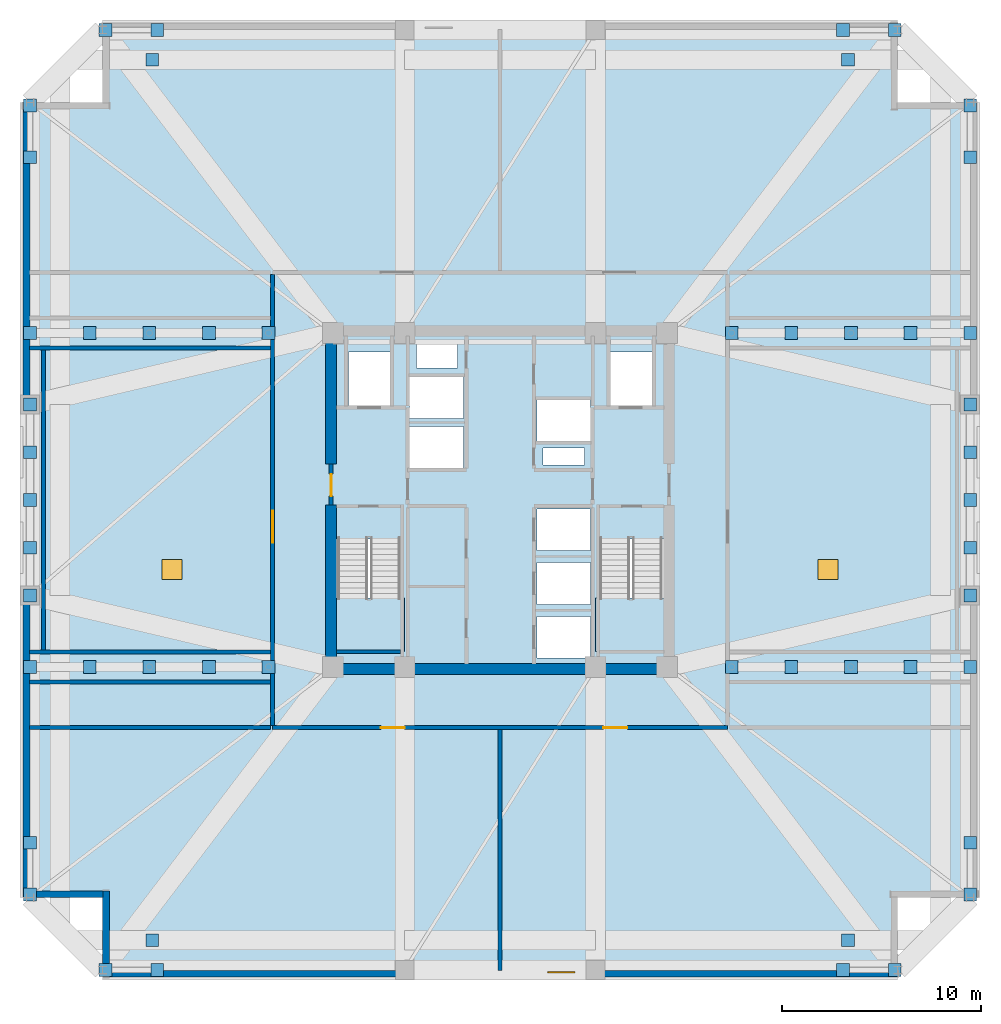
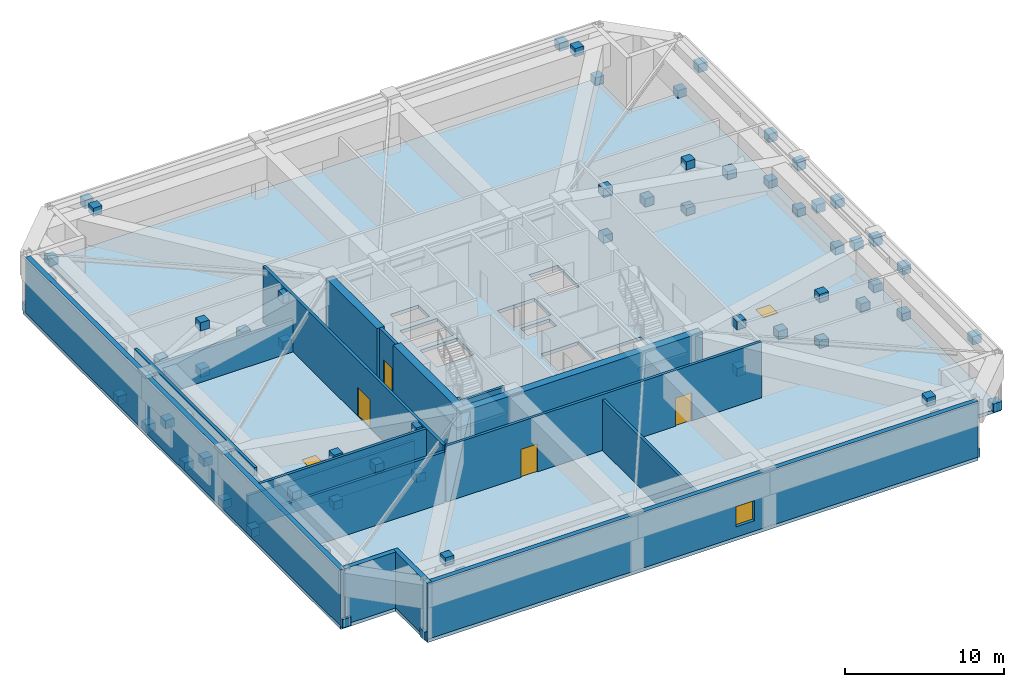
# One storey, part 7 of 13: 68 plates, 17 walls, 6 doors, 3 slabs, 1 window, 7 openings, 2 elements without a shape of their own.
"""IFC4 building model written with IfcOpenShell, lengths in metres."""

from ifc_helpers import new_model, si_unit, direction, frame, frame_2d, origin, origin_2d, place, context, subcontext, project, spatial, polyline, rectangle, outline, extrude, material, layer, layer_set, type_object, element, fill, aggregate, save


model = new_model("IFC4")

# Units and contexts
model_context = context("Model", 3, precision=1e-05, world=origin(), true_north=direction((0.0, 1.0)))
body_context = subcontext(model_context, "Body", "Model", "MODEL_VIEW")
ifc_project = project(units=[si_unit("LENGTHUNIT", "METRE"), si_unit("AREAUNIT", "SQUARE_METRE"), si_unit("VOLUMEUNIT", "CUBIC_METRE"), si_unit("PLANEANGLEUNIT", "RADIAN"), si_unit("MASSUNIT", "GRAM", prefix="KILO")], contexts=[model_context])

# Site, building, storey
site_placement = place(None, origin())
site = spatial("IfcSite", under=ifc_project, at=site_placement, CompositionType="ELEMENT")
building_placement = place(site_placement, origin())
building = spatial("IfcBuilding", under=site, at=building_placement, Name="Cairnveth Concourse Tower", CompositionType="ELEMENT")
storey_placement = place(building_placement, frame((0.0, 0.0, 193.5)))
storey = spatial("IfcBuildingStorey", under=building, at=storey_placement, Name="L53", CompositionType="ELEMENT", Elevation=193.5)

# Plates
ifc_material_1 = material(Name="Steel Grade 350", Category="steel")
ifc_layer_1 = layer(ifc_material_1, 0.028076171875)
ifc_layer_set_1 = layer_set([ifc_layer_1], Name="Steel Grade 350")
plate_type_1 = type_object("IfcPlateType", Name="BELT TRUSS SPLICE CAP PLATE 28", PredefinedType="SHEET", material=ifc_layer_set_1)
for number, where, z_axis, x_axis, name in (
    (1, (28.35009765625, 34.199951171875, -0.06982421875), (0.0, 0.0, 1.0), (1.0, 0.0, 0.0), "Structural Node Plate 0933 L53"),
    (2, (28.35009765625, 39.0, 3.52001953125), (0.0, 0.0, 1.0), (1.0, 0.0, 0.0), "Structural Node Plate 0934 L53"),
    (3, (28.35009765625, 36.60009765625, 1.72509765625), (0.0, 0.0, 1.0), (1.0, 0.0, 0.0), "Structural Node Plate 0935 L53"),
    (4, (28.35009765625, 39.0, -0.06982421875), (0.0, 0.0, 1.0), (1.0, 0.0, 0.0), "Structural Node Plate 0936 L53"),
    (5, (28.35009765625, 34.199951171875, 3.52001953125), (0.0, 0.0, 1.0), (1.0, 0.0, 0.0), "Structural Node Plate 0937 L53"),
    (6, (28.35009765625, 43.800048828125, 3.52001953125), (0.0, 0.0, 1.0), (1.0, 0.0, 0.0), "Structural Node Plate 0938 L53"),
    (7, (28.35009765625, 41.39990234375, 1.72509765625), (0.0, 0.0, 1.0), (1.0, 0.0, 0.0), "Structural Node Plate 0939 L53"),
    (8, (28.35009765625, 43.800048828125, -0.06982421875), (0.0, 0.0, 1.0), (1.0, 0.0, 0.0), "Structural Node Plate 0940 L53"),
    (9, (75.64990234375, 34.199951171875, -0.06982421875), (0.0, 0.0, 1.0), (1.0, 0.0, 0.0), "Structural Node Plate 0941 L53"),
    (10, (75.64990234375, 39.0, 3.52001953125), (0.0, 0.0, 1.0), (1.0, 0.0, 0.0), "Structural Node Plate 0942 L53"),
    (11, (75.64990234375, 36.60009765625, 1.72509765625), (0.0, 0.0, 1.0), (1.0, 0.0, 0.0), "Structural Node Plate 0943 L53"),
    (12, (75.64990234375, 39.0, -0.06982421875), (0.0, 0.0, 1.0), (1.0, 0.0, 0.0), "Structural Node Plate 0944 L53"),
    (13, (75.64990234375, 34.199951171875, 3.52001953125), (0.0, 0.0, 1.0), (1.0, 0.0, 0.0), "Structural Node Plate 0945 L53"),
    (14, (75.64990234375, 43.800048828125, 3.52001953125), (0.0, 0.0, 1.0), (1.0, 0.0, 0.0), "Structural Node Plate 0946 L53"),
    (15, (75.64990234375, 41.39990234375, 1.72509765625), (0.0, 0.0, 1.0), (1.0, 0.0, 0.0), "Structural Node Plate 0947 L53"),
    (16, (75.64990234375, 43.800048828125, -0.06982421875), (0.0, 0.0, 1.0), (1.0, 0.0, 0.0), "Structural Node Plate 0948 L53"),
):
    element("IfcPlate", number, at=place(storey_placement, frame(where, z_axis=z_axis, x_axis=x_axis)), inside=storey, type_object=plate_type_1, Name=name, PredefinedType="SHEET", context=body_context, shape_type="SweptSolid", body=[
        extrude(rectangle(XDim=0.639892578125, YDim=0.639892578125, at=origin_2d()), origin(), (0.0, 0.0, 1.0), 0.639892578125),
    ])
ifc_layer_2 = layer(ifc_material_1, 0.0419921875)
ifc_layer_set_2 = layer_set([ifc_layer_2], Name="Steel Grade 350")
plate_type_2 = type_object("IfcPlateType", Name="HIGH OUTRIGGER NODE GUSSET PLATE 42", PredefinedType="USERDEFINED", material=ifc_layer_set_2)
for number, where, z_axis, x_axis, name in (
    (17, (28.35009765625, 30.60009765625, -0.06982421875), (0.0, 0.0, 1.0), (1.0, 0.0, 0.0), "Structural Node Plate 0901 L53"),
    (18, (34.35009765625, 30.60009765625, 3.52001953125), (0.0, 0.0, 1.0), (1.0, 0.0, 0.0), "Structural Node Plate 0902 L53"),
    (19, (31.35009765625, 30.60009765625, 1.72509765625), (0.0, 0.0, 1.0), (1.0, 0.0, 0.0), "Structural Node Plate 0903 L53"),
    (20, (28.35009765625, 30.60009765625, 3.52001953125), (0.0, 0.0, 1.0), (1.0, 0.0, 0.0), "Structural Node Plate 0904 L53"),
    (21, (34.35009765625, 30.60009765625, -0.06982421875), (0.0, 0.0, 1.0), (1.0, 0.0, 0.0), "Structural Node Plate 0905 L53"),
    (22, (40.35009765625, 30.60009765625, 3.52001953125), (0.0, 0.0, 1.0), (1.0, 0.0, 0.0), "Structural Node Plate 0906 L53"),
    (23, (37.35009765625, 30.60009765625, 1.72509765625), (0.0, 0.0, 1.0), (1.0, 0.0, 0.0), "Structural Node Plate 0907 L53"),
    (24, (40.35009765625, 30.60009765625, -0.06982421875), (0.0, 0.0, 1.0), (1.0, 0.0, 0.0), "Structural Node Plate 0908 L53"),
    (25, (28.35009765625, 47.39990234375, -0.06982421875), (0.0, 0.0, 1.0), (1.0, 0.0, 0.0), "Structural Node Plate 0909 L53"),
    (26, (34.35009765625, 47.39990234375, 3.52001953125), (0.0, 0.0, 1.0), (1.0, 0.0, 0.0), "Structural Node Plate 0910 L53"),
    (27, (31.35009765625, 47.39990234375, 1.72509765625), (0.0, 0.0, 1.0), (1.0, 0.0, 0.0), "Structural Node Plate 0911 L53"),
    (28, (28.35009765625, 47.39990234375, 3.52001953125), (0.0, 0.0, 1.0), (1.0, 0.0, 0.0), "Structural Node Plate 0912 L53"),
    (29, (34.35009765625, 47.39990234375, -0.06982421875), (0.0, 0.0, 1.0), (1.0, 0.0, 0.0), "Structural Node Plate 0913 L53"),
    (30, (40.35009765625, 47.39990234375, 3.52001953125), (0.0, 0.0, 1.0), (1.0, 0.0, 0.0), "Structural Node Plate 0914 L53"),
    (31, (37.35009765625, 47.39990234375, 1.72509765625), (0.0, 0.0, 1.0), (1.0, 0.0, 0.0), "Structural Node Plate 0915 L53"),
    (32, (40.35009765625, 47.39990234375, -0.06982421875), (0.0, 0.0, 1.0), (1.0, 0.0, 0.0), "Structural Node Plate 0916 L53"),
    (33, (63.64990234375, 30.60009765625, -0.06982421875), (0.0, 0.0, 1.0), (1.0, 0.0, 0.0), "Structural Node Plate 0917 L53"),
    (34, (69.64990234375, 30.60009765625, 3.52001953125), (0.0, 0.0, 1.0), (1.0, 0.0, 0.0), "Structural Node Plate 0918 L53"),
    (35, (66.64990234375, 30.60009765625, 1.72509765625), (0.0, 0.0, 1.0), (1.0, 0.0, 0.0), "Structural Node Plate 0919 L53"),
    (36, (63.64990234375, 30.60009765625, 3.52001953125), (0.0, 0.0, 1.0), (1.0, 0.0, 0.0), "Structural Node Plate 0920 L53"),
    (37, (69.64990234375, 30.60009765625, -0.06982421875), (0.0, 0.0, 1.0), (1.0, 0.0, 0.0), "Structural Node Plate 0921 L53"),
    (38, (75.64990234375, 30.60009765625, 3.52001953125), (0.0, 0.0, 1.0), (1.0, 0.0, 0.0), "Structural Node Plate 0922 L53"),
    (39, (72.64990234375, 30.60009765625, 1.72509765625), (0.0, 0.0, 1.0), (1.0, 0.0, 0.0), "Structural Node Plate 0923 L53"),
    (40, (75.64990234375, 30.60009765625, -0.06982421875), (0.0, 0.0, 1.0), (1.0, 0.0, 0.0), "Structural Node Plate 0924 L53"),
    (41, (63.64990234375, 47.39990234375, -0.06982421875), (0.0, 0.0, 1.0), (1.0, 0.0, 0.0), "Structural Node Plate 0925 L53"),
    (42, (69.64990234375, 47.39990234375, 3.52001953125), (0.0, 0.0, 1.0), (1.0, 0.0, 0.0), "Structural Node Plate 0926 L53"),
    (43, (66.64990234375, 47.39990234375, 1.72509765625), (0.0, 0.0, 1.0), (1.0, 0.0, 0.0), "Structural Node Plate 0927 L53"),
    (44, (63.64990234375, 47.39990234375, 3.52001953125), (0.0, 0.0, 1.0), (1.0, 0.0, 0.0), "Structural Node Plate 0928 L53"),
    (45, (69.64990234375, 47.39990234375, -0.06982421875), (0.0, 0.0, 1.0), (1.0, 0.0, 0.0), "Structural Node Plate 0929 L53"),
    (46, (75.64990234375, 47.39990234375, 3.52001953125), (0.0, 0.0, 1.0), (1.0, 0.0, 0.0), "Structural Node Plate 0930 L53"),
    (47, (72.64990234375, 47.39990234375, 1.72509765625), (0.0, 0.0, 1.0), (1.0, 0.0, 0.0), "Structural Node Plate 0931 L53"),
    (48, (75.64990234375, 47.39990234375, -0.06982421875), (0.0, 0.0, 1.0), (1.0, 0.0, 0.0), "Structural Node Plate 0932 L53"),
):
    element("IfcPlate", number, at=place(storey_placement, frame(where, z_axis=z_axis, x_axis=x_axis)), inside=storey, type_object=plate_type_2, Name=name, ObjectType="GUSSET PLATE", PredefinedType="USERDEFINED", context=body_context, shape_type="SweptSolid", body=[
        extrude(rectangle(XDim=0.639892578125, YDim=0.639892578125, at=origin_2d()), origin(), (0.0, 0.0, 1.0), 0.639892578125),
    ])
ifc_layer_3 = layer(ifc_material_1, 0.0400390625)
ifc_layer_set_3 = layer_set([ifc_layer_3], Name="Steel Grade 350")
plate_type_3 = type_object("IfcPlateType", Name="LOWER SETBACK KINK NODE PLATE 40", PredefinedType="SHEET", material=ifc_layer_set_3)
for number, where, z_axis, x_axis, name in (
    (49, (34.5, 16.85009765625, 3.919921875), (0.0, 0.0, 1.0), (1.0, 0.0, 0.0), "Structural Node Plate 0881 L53"),
    (50, (69.5, 16.85009765625, 3.919921875), (0.0, 0.0, 1.0), (1.0, 0.0, 0.0), "Structural Node Plate 0882 L53"),
    (51, (69.5, 61.14990234375, 3.919921875), (0.0, 0.0, 1.0), (1.0, 0.0, 0.0), "Structural Node Plate 0883 L53"),
    (52, (34.5, 61.14990234375, 3.919921875), (0.0, 0.0, 1.0), (1.0, 0.0, 0.0), "Structural Node Plate 0884 L53"),
):
    element("IfcPlate", number, at=place(storey_placement, frame(where, z_axis=z_axis, x_axis=x_axis)), inside=storey, type_object=plate_type_3, Name=name, PredefinedType="SHEET", context=body_context, shape_type="SweptSolid", body=[
        extrude(rectangle(XDim=0.639892578125, YDim=0.639892578125, at=origin_2d()), origin(), (0.0, 0.0, 1.0), 0.639892578125),
    ])
ifc_layer_4 = layer(ifc_material_1, 0.031982421875)
ifc_layer_set_4 = layer_set([ifc_layer_4], Name="Steel Grade 350")
plate_type_4 = type_object("IfcPlateType", Name="PERIMETER BRACE GUSSET PLATE 32", PredefinedType="USERDEFINED", material=ifc_layer_set_4)
for number, where, z_axis, x_axis, name in (
    (53, (32.14990234375, 15.35009765625, -0.06982421875), (0.0, 0.0, 1.0), (1.0, 0.0, 0.0), "Structural Node Plate 0885 L53"),
    (54, (34.75, 15.35009765625, 3.52001953125), (0.0, 0.0, 1.0), (1.0, 0.0, 0.0), "Structural Node Plate 0886 L53"),
    (55, (71.85009765625, 15.35009765625, -0.06982421875), (0.0, 0.0, 1.0), (1.0, 0.0, 0.0), "Structural Node Plate 0887 L53"),
    (56, (69.25, 15.35009765625, 3.52001953125), (0.0, 0.0, 1.0), (1.0, 0.0, 0.0), "Structural Node Plate 0888 L53"),
    (57, (32.14990234375, 62.64990234375, -0.06982421875), (0.0, 0.0, 1.0), (1.0, 0.0, 0.0), "Structural Node Plate 0889 L53"),
    (58, (34.75, 62.64990234375, 3.52001953125), (0.0, 0.0, 1.0), (1.0, 0.0, 0.0), "Structural Node Plate 0890 L53"),
    (59, (71.85009765625, 62.64990234375, -0.06982421875), (0.0, 0.0, 1.0), (1.0, 0.0, 0.0), "Structural Node Plate 0891 L53"),
    (60, (69.25, 62.64990234375, 3.52001953125), (0.0, 0.0, 1.0), (1.0, 0.0, 0.0), "Structural Node Plate 0892 L53"),
    (61, (28.35009765625, 19.14990234375, -0.06982421875), (0.0, 0.0, 1.0), (1.0, 0.0, 0.0), "Structural Node Plate 0893 L53"),
    (62, (28.35009765625, 21.75, 3.52001953125), (0.0, 0.0, 1.0), (1.0, 0.0, 0.0), "Structural Node Plate 0894 L53"),
    (63, (28.35009765625, 58.85009765625, -0.06982421875), (0.0, 0.0, 1.0), (1.0, 0.0, 0.0), "Structural Node Plate 0895 L53"),
    (64, (28.35009765625, 56.25, 3.52001953125), (0.0, 0.0, 1.0), (1.0, 0.0, 0.0), "Structural Node Plate 0896 L53"),
    (65, (75.64990234375, 19.14990234375, -0.06982421875), (0.0, 0.0, 1.0), (1.0, 0.0, 0.0), "Structural Node Plate 0897 L53"),
    (66, (75.64990234375, 21.75, 3.52001953125), (0.0, 0.0, 1.0), (1.0, 0.0, 0.0), "Structural Node Plate 0898 L53"),
    (67, (75.64990234375, 58.85009765625, -0.06982421875), (0.0, 0.0, 1.0), (1.0, 0.0, 0.0), "Structural Node Plate 0899 L53"),
    (68, (75.64990234375, 56.25, 3.52001953125), (0.0, 0.0, 1.0), (1.0, 0.0, 0.0), "Structural Node Plate 0900 L53"),
):
    element("IfcPlate", number, at=place(storey_placement, frame(where, z_axis=z_axis, x_axis=x_axis)), inside=storey, type_object=plate_type_4, Name=name, ObjectType="GUSSET PLATE", PredefinedType="USERDEFINED", context=body_context, shape_type="SweptSolid", body=[
        extrude(rectangle(XDim=0.639892578125, YDim=0.639892578125, at=origin_2d()), origin(), (0.0, 0.0, 1.0), 0.639892578125),
    ])

# Slab, openings, doors
ifc_material_2 = material(Name="Concrete N65 (65 MPa)", Category="concrete")
ifc_layer_5 = layer(ifc_material_2, 0.260009765625)
ifc_layer_set_5 = layer_set([ifc_layer_5], Name="Concrete N65 (65 MPa)")
slab_type_1 = type_object("IfcSlabType", Name="PLANT AND OUTRIGGER SLAB 260", PredefinedType="FLOOR", material=ifc_layer_set_5)
slab_1_placement = place(storey_placement, frame((0.0, 0.0, -0.260009765625)))
slab_1 = element("IfcSlab", 69, at=slab_1_placement, inside=storey, type_object=slab_type_1, Name="Tower Floor Slab L53", PredefinedType="FLOOR", context=body_context, shape_type="SweptSolid", body=[
    extrude(outline(polyline([(32.0, 15.0), (72.0, 15.0), (72.0, 19.0), (76.0, 19.0), (76.0, 59.0), (72.0, 59.0), (72.0, 63.0), (32.0, 63.0), (32.0, 59.0), (28.0, 59.0), (28.0, 19.0), (32.0, 19.0), (32.0, 15.0)]), holes=[polyline([(43.760009765625, 31.360107421875), (47.06005859375, 31.360107421875), (47.06005859375, 37.0400390625), (43.760009765625, 37.0400390625), (43.760009765625, 31.360107421875)]), polyline([(56.93994140625, 31.360107421875), (60.239990234375, 31.360107421875), (60.239990234375, 37.0400390625), (56.93994140625, 37.0400390625), (56.93994140625, 31.360107421875)]), polyline([(44.3701171875, 43.75), (46.469970703125, 43.75), (46.469970703125, 46.449951171875), (44.3701171875, 46.449951171875), (44.3701171875, 43.75)]), polyline([(57.530029296875, 43.75), (59.6298828125, 43.75), (59.6298828125, 46.449951171875), (57.530029296875, 46.449951171875), (57.530029296875, 43.75)]), polyline([(53.85009765625, 31.050048828125), (56.550048828125, 31.050048828125), (56.550048828125, 33.14990234375), (53.85009765625, 33.14990234375), (53.85009765625, 31.050048828125)]), polyline([(53.85009765625, 33.75), (56.550048828125, 33.75), (56.550048828125, 35.85009765625), (53.85009765625, 35.85009765625), (53.85009765625, 33.75)]), polyline([(53.85009765625, 36.449951171875), (56.550048828125, 36.449951171875), (56.550048828125, 38.550048828125), (53.85009765625, 38.550048828125), (53.85009765625, 36.449951171875)]), polyline([(47.449951171875, 40.60009765625), (50.14990234375, 40.60009765625), (50.14990234375, 42.699951171875), (47.449951171875, 42.699951171875), (47.449951171875, 40.60009765625)]), polyline([(47.449951171875, 43.10009765625), (50.14990234375, 43.10009765625), (50.14990234375, 45.199951171875), (47.449951171875, 45.199951171875), (47.449951171875, 43.10009765625)]), polyline([(53.85009765625, 41.949951171875), (56.550048828125, 41.949951171875), (56.550048828125, 44.050048828125), (53.85009765625, 44.050048828125), (53.85009765625, 41.949951171875)]), polyline([(47.800048828125, 45.64990234375), (49.85009765625, 45.64990234375), (49.85009765625, 47.050048828125), (47.800048828125, 47.050048828125), (47.800048828125, 45.64990234375)]), polyline([(54.14990234375, 40.75), (56.25, 40.75), (56.25, 41.6201171875), (54.14990234375, 41.6201171875), (54.14990234375, 40.75)]), polyline([(35.0, 35.0), (36.0, 35.0), (36.0, 36.0), (35.0, 36.0), (35.0, 35.0)]), polyline([(68.0, 35.0), (69.0, 35.0), (69.0, 36.0), (68.0, 36.0), (68.0, 35.0)])]), origin(), (0.0, 0.0, 1.0), 0.260009765625),
])
opening_1_placement = place(slab_1_placement, frame((35.5, 35.5, 0.0)))
opening_1 = element("IfcOpeningElement", 70, at=opening_1_placement, cuts=slab_1, Name="Opening RH-01", PredefinedType="OPENING", context=body_context, shape_type="SweptSolid", body=[
    extrude(rectangle(XDim=1.0, YDim=1.0, at=origin_2d()), origin(), (0.0, 0.0, 1.0), 0.260009765625),
])
opening_2_placement = place(slab_1_placement, frame((68.5, 35.5, 0.0)))
opening_2 = element("IfcOpeningElement", 71, at=opening_2_placement, cuts=slab_1, Name="Opening RH-01", PredefinedType="OPENING", context=body_context, shape_type="SweptSolid", body=[
    extrude(rectangle(XDim=1.0, YDim=1.0, at=origin_2d()), origin(), (0.0, 0.0, 1.0), 0.260009765625),
])
ifc_material_3 = material(Name="Architectural Bronze Anodised Aluminium 6063-T6", Category="aluminium")
door_type_1 = type_object("IfcDoorType", Name="PLANT SLAB ACCESS TRAPDOOR HATCH 1000X1000", OperationType="SINGLE_SWING_LEFT", PredefinedType="TRAPDOOR", material=ifc_material_3)
door_1_placement = place(opening_1_placement, frame((0.0, 0.0, 0.2099609375)))
door_1 = element("IfcDoor", 72, at=door_1_placement, inside=storey, type_object=door_type_1, Name="Plant Hoist Trapdoor Hatch L53-1", OperationType="SINGLE_SWING_LEFT", OverallHeight=1.0, OverallWidth=1.0, PredefinedType="TRAPDOOR", context=body_context, shape_type="SweptSolid", body=[
    extrude(rectangle(XDim=1.0, YDim=1.0, at=origin_2d()), origin(), (0.0, 0.0, 1.0), 0.050048828125),
])
fill(opening_1, door_1)
door_2_placement = place(opening_2_placement, frame((0.0, 0.0, 0.2099609375)))
door_2 = element("IfcDoor", 73, at=door_2_placement, inside=storey, type_object=door_type_1, Name="Plant Hoist Trapdoor Hatch L53-2", OperationType="SINGLE_SWING_LEFT", OverallHeight=1.0, OverallWidth=1.0, PredefinedType="TRAPDOOR", context=body_context, shape_type="SweptSolid", body=[
    extrude(rectangle(XDim=1.0, YDim=1.0, at=origin_2d()), origin(), (0.0, 0.0, 1.0), 0.050048828125),
])
fill(opening_2, door_2)

# Stair, slab
ifc_material_4 = material(Name="Precast concrete N50 (50 MPa)", Category="concrete")
stair_type = type_object("IfcStairType", Name="CORE DOG-LEG FIRE STAIR 1500", PredefinedType="HALF_TURN_STAIR", material=ifc_material_4)
stair_1_placement = place(storey_placement, origin())
stair_1 = element("IfcStair", 74, at=stair_1_placement, inside=storey, type_object=stair_type, Name="L53 Fire-Isolated Stair ST-1", PredefinedType="HALF_TURN_STAIR")
ifc_material_5 = material(Name="Concrete N50 (50 MPa)", Category="concrete")
ifc_layer_6 = layer(ifc_material_5, 0.199951171875)
ifc_layer_set_6 = layer_set([ifc_layer_6], Name="Concrete N50 (50 MPa)")
slab_type_2 = type_object("IfcSlabType", Name="STAIR HALF LANDING SLAB 200", PredefinedType="LANDING", material=ifc_layer_set_6)
slab_2_placement = place(storey_placement, frame((0.0, 0.0, 2.050048828125)))
slab_2 = element("IfcSlab", 75, at=slab_2_placement, type_object=slab_type_2, Name="ST-1 landing 1", PredefinedType="LANDING", context=body_context, shape_type="SweptSolid", body=[
    extrude(outline(polyline([(43.6201171875, 34.080078125), (43.6201171875, 31.3701171875), (47.199951171875, 31.3701171875), (47.199951171875, 34.080078125), (43.6201171875, 34.080078125)])), origin(), (0.0, 0.0, 1.0), 0.199951171875),
])
aggregate(stair_1, [slab_2])

stair_2_placement = place(storey_placement, origin())
stair_2 = element("IfcStair", 76, at=stair_2_placement, inside=storey, type_object=stair_type, Name="L53 Fire-Isolated Stair ST-2", PredefinedType="HALF_TURN_STAIR")
slab_3_placement = place(storey_placement, frame((0.0, 0.0, 2.050048828125)))
slab_3 = element("IfcSlab", 77, at=slab_3_placement, type_object=slab_type_2, Name="ST-2 landing 1", PredefinedType="LANDING", context=body_context, shape_type="SweptSolid", body=[
    extrude(outline(polyline([(56.800048828125, 34.080078125), (56.800048828125, 31.3701171875), (60.3798828125, 31.3701171875), (60.3798828125, 34.080078125), (56.800048828125, 34.080078125)])), origin(), (0.0, 0.0, 1.0), 0.199951171875),
])
aggregate(stair_2, [slab_3])

# Walls
ifc_material_6 = material(Name="Concrete N80 (80 MPa)", Category="concrete")
ifc_layer_7 = layer(ifc_material_6, 0.550048828125)
ifc_layer_set_7 = layer_set([ifc_layer_7], Name="Concrete N80 (80 MPa)")
wall_type_1 = type_object("IfcWallType", Name="CORE SHEAR WALL 550", PredefinedType="SHEAR", material=ifc_layer_set_7)
wall_1_placement = place(storey_placement, frame((43.22509765625, 30.5, 0.0), z_axis=(0.0, 0.0, 1.0), x_axis=(1.0, 0.0, 0.0)))
element("IfcWall", 78, at=wall_1_placement, inside=storey, type_object=wall_type_1, Name="Core South Shear Wall L53", PredefinedType="SHEAR", context=body_context, shape_type="SweptSolid", body=[
    extrude(rectangle(XDim=17.5498046875, YDim=0.550048828125, at=frame_2d((8.77490234375, 0.0))), origin(), (0.0, 0.0, 1.0), 4.2900390625),
])
wall_2_placement = place(storey_placement, frame((43.5, 30.764892578125, 0.0), z_axis=(0.0, 0.0, 1.0), x_axis=(0.0, 1.0, 0.0)))
element("IfcWall", 79, at=wall_2_placement, inside=storey, type_object=wall_type_1, Name="Core West Shear Wall S L53", PredefinedType="SHEAR", context=body_context, shape_type="SweptSolid", body=[
    extrude(rectangle(XDim=7.985107421875, YDim=0.550048828125, at=frame_2d((3.99267578125, 0.0))), origin(), (0.0, 0.0, 1.0), 4.2900390625),
])
wall_3_placement = place(storey_placement, frame((43.5, 40.800048828125, 0.0), z_axis=(0.0, 0.0, 1.0), x_axis=(0.0, 1.0, 0.0)))
element("IfcWall", 80, at=wall_3_placement, inside=storey, type_object=wall_type_1, Name="Core West Shear Wall N L53", PredefinedType="SHEAR", context=body_context, shape_type="SweptSolid", body=[
    extrude(rectangle(XDim=6.43505859375, YDim=0.550048828125, at=frame_2d((3.217529296875, 0.0))), origin(), (0.0, 0.0, 1.0), 4.2900390625),
])
ifc_layer_8 = layer(ifc_material_5, 0.179931640625)
ifc_layer_set_8 = layer_set([ifc_layer_8], Name="Concrete N50 (50 MPa)")
wall_type_2 = type_object("IfcWallType", Name="FIRE SHAFT WALL 180", PredefinedType="SOLIDWALL", material=ifc_layer_set_8)
wall_4_placement = place(storey_placement, frame((43.764892578125, 31.360107421875, 0.0), z_axis=(0.0, 0.0, 1.0), x_axis=(1.0, 0.0, 0.0)))
element("IfcWall", 81, at=wall_4_placement, inside=storey, type_object=wall_type_2, Name="Stair ST-1 Shaft Wall FAR L53", PredefinedType="SOLIDWALL", context=body_context, shape_type="SweptSolid", body=[
    extrude(rectangle(XDim=3.230224609375, YDim=0.179931640625, at=frame_2d((1.615234375, 0.0))), origin(), (0.0, 0.0, 1.0), 4.2900390625),
])

# Wall, opening, door
ifc_layer_9 = layer(ifc_material_5, 0.199951171875)
ifc_layer_set_9 = layer_set([ifc_layer_9], Name="Concrete N50 (50 MPa)")
wall_type_3 = type_object("IfcWallType", Name="FIRE SHAFT WALL 200", PredefinedType="SOLIDWALL", material=ifc_layer_set_9)
wall_5_placement = place(storey_placement, frame((43.5, 38.75, 0.0), z_axis=(0.0, 0.0, 1.0), x_axis=(0.0, 1.0, 0.0)))
wall_5 = element("IfcWall", 82, at=wall_5_placement, inside=storey, type_object=wall_type_3, Name="Interior Wall IW-L53-015", PredefinedType="SOLIDWALL", context=body_context, shape_type="SweptSolid", body=[
    extrude(rectangle(XDim=2.050048828125, YDim=0.199951171875, at=frame_2d((1.02490234375, 0.0))), origin(), (0.0, 0.0, 1.0), 4.2900390625),
])
opening_3_placement = place(wall_5_placement, frame((0.449951171875, 0.0, 0.0)))
opening_3 = element("IfcOpeningElement", 83, at=opening_3_placement, cuts=wall_5, Name="Opening ID06", PredefinedType="OPENING", context=body_context, shape_type="SweptSolid", body=[
    extrude(rectangle(XDim=1.10009765625, YDim=2.14990234375, at=frame_2d((0.550048828125, 1.074951171875))), frame((0.0, 0.10986328125, 0.0), z_axis=(0.0, -1.0, 0.0), x_axis=(1.0, 0.0, 0.0)), (0.0, 0.0, 1.0), 0.219970703125),
])
door_type_2 = type_object("IfcDoorType", Name="FIRE CORRIDOR DOOR 1100X2150", OperationType="NOTDEFINED", PredefinedType="DOOR", material=ifc_material_1)
door_3_placement = place(opening_3_placement, origin())
door_3 = element("IfcDoor", 84, at=door_3_placement, inside=storey, type_object=door_type_2, Name="West Wing to FF Lobby Door L53", OperationType="SINGLE_SWING_LEFT", OverallHeight=2.14990234375, OverallWidth=1.10009765625, PredefinedType="DOOR", context=body_context, shape_type="SweptSolid", body=[
    extrude(rectangle(XDim=1.10009765625, YDim=2.14990234375, at=frame_2d((0.550048828125, 1.074951171875))), frame((0.0, 0.02490234375, 0.0), z_axis=(0.0, -1.0, 0.0), x_axis=(1.0, 0.0, 0.0)), (0.0, 0.0, 1.0), 0.050048828125),
])
fill(opening_3, door_3)

# Wall, openings, doors
wall_6_placement = place(storey_placement, frame((40.550048828125, 27.550048828125, 0.0), z_axis=(0.0, 0.0, 1.0), x_axis=(1.0, 0.0, 0.0)))
wall_6 = element("IfcWall", 85, at=wall_6_placement, inside=storey, type_object=wall_type_3, Name="Interior Wall IW-L53-036", PredefinedType="SOLIDWALL", context=body_context, shape_type="SweptSolid", body=[
    extrude(rectangle(XDim=22.89990234375, YDim=0.199951171875, at=frame_2d((11.449951171875, 0.0))), origin(), (0.0, 0.0, 1.0), 4.2900390625),
])
opening_4_placement = place(wall_6_placement, frame((5.449951171875, 0.0, 0.0)))
opening_4 = element("IfcOpeningElement", 86, at=opening_4_placement, cuts=wall_6, Name="Opening ID05", PredefinedType="OPENING", context=body_context, shape_type="SweptSolid", body=[
    extrude(rectangle(XDim=1.199951171875, YDim=2.14990234375, at=frame_2d((0.60009765625, 1.074951171875))), frame((0.0, 0.10986328125, 0.0), z_axis=(0.0, -1.0, 0.0), x_axis=(1.0, 0.0, 0.0)), (0.0, 0.0, 1.0), 0.219970703125),
])
opening_5_placement = place(wall_6_placement, frame((16.64990234375, 0.0, 0.0)))
opening_5 = element("IfcOpeningElement", 87, at=opening_5_placement, cuts=wall_6, Name="Opening ID05", PredefinedType="OPENING", context=body_context, shape_type="SweptSolid", body=[
    extrude(rectangle(XDim=1.199951171875, YDim=2.14990234375, at=frame_2d((0.60009765625, 1.074951171875))), frame((0.0, 0.10986328125, 0.0), z_axis=(0.0, -1.0, 0.0), x_axis=(1.0, 0.0, 0.0)), (0.0, 0.0, 1.0), 0.219970703125),
])
door_type_3 = type_object("IfcDoorType", Name="FIRE CORRIDOR DOOR 1200X2150", OperationType="NOTDEFINED", PredefinedType="DOOR", material=ifc_material_1)
door_4_placement = place(opening_4_placement, origin())
door_4 = element("IfcDoor", 88, at=door_4_placement, inside=storey, type_object=door_type_3, Name="Refuge SW Door L53", OperationType="SINGLE_SWING_LEFT", OverallHeight=2.14990234375, OverallWidth=1.199951171875, PredefinedType="DOOR", context=body_context, shape_type="SweptSolid", body=[
    extrude(rectangle(XDim=1.199951171875, YDim=2.14990234375, at=frame_2d((0.60009765625, 1.074951171875))), frame((0.0, 0.02490234375, 0.0), z_axis=(0.0, -1.0, 0.0), x_axis=(1.0, 0.0, 0.0)), (0.0, 0.0, 1.0), 0.050048828125),
])
fill(opening_4, door_4)
door_5_placement = place(opening_5_placement, origin())
door_5 = element("IfcDoor", 89, at=door_5_placement, inside=storey, type_object=door_type_3, Name="Refuge SE Door L53", OperationType="SINGLE_SWING_RIGHT", OverallHeight=2.14990234375, OverallWidth=1.199951171875, PredefinedType="DOOR", context=body_context, shape_type="SweptSolid", body=[
    extrude(rectangle(XDim=1.199951171875, YDim=2.14990234375, at=frame_2d((0.60009765625, 1.074951171875))), frame((0.0, 0.02490234375, 0.0), z_axis=(0.0, -1.0, 0.0), x_axis=(1.0, 0.0, 0.0)), (0.0, 0.0, 1.0), 0.050048828125),
])
fill(opening_5, door_5)

# Wall, opening, door
wall_7_placement = place(storey_placement, frame((40.550048828125, 27.64990234375, 0.0), z_axis=(0.0, 0.0, 1.0), x_axis=(0.0, 1.0, 0.0)))
wall_7 = element("IfcWall", 90, at=wall_7_placement, inside=storey, type_object=wall_type_3, Name="Interior Wall IW-L53-038", PredefinedType="SOLIDWALL", context=body_context, shape_type="SweptSolid", body=[
    extrude(rectangle(XDim=22.7001953125, YDim=0.199951171875, at=frame_2d((11.35009765625, 0.0))), origin(), (0.0, 0.0, 1.0), 4.2900390625),
])
opening_6_placement = place(wall_7_placement, frame((9.199951171875, 0.0, 0.0)))
opening_6 = element("IfcOpeningElement", 91, at=opening_6_placement, cuts=wall_7, Name="Opening ID02", PredefinedType="OPENING", context=body_context, shape_type="SweptSolid", body=[
    extrude(rectangle(XDim=1.60009765625, YDim=2.199951171875, at=frame_2d((0.800048828125, 1.10009765625))), frame((0.0, 0.10986328125, 0.0), z_axis=(0.0, -1.0, 0.0), x_axis=(1.0, 0.0, 0.0)), (0.0, 0.0, 1.0), 0.219970703125),
])
door_type_4 = type_object("IfcDoorType", Name="PLANT DOUBLE DOOR 1600X2200", OperationType="DOUBLE_DOOR_SINGLE_SWING", PredefinedType="DOOR", material=ifc_material_1)
door_6_placement = place(opening_6_placement, origin())
door_6 = element("IfcDoor", 92, at=door_6_placement, inside=storey, type_object=door_type_4, Name="Interior Door DR-L53-019", OperationType="DOUBLE_DOOR_SINGLE_SWING", OverallHeight=2.199951171875, OverallWidth=1.60009765625, PredefinedType="DOOR", context=body_context, shape_type="SweptSolid", body=[
    extrude(rectangle(XDim=1.60009765625, YDim=2.199951171875, at=frame_2d((0.800048828125, 1.10009765625))), frame((0.0, 0.02490234375, 0.0), z_axis=(0.0, -1.0, 0.0), x_axis=(1.0, 0.0, 0.0)), (0.0, 0.0, 1.0), 0.050048828125),
])
fill(opening_6, door_6)

# Walls
wall_8_placement = place(storey_placement, frame((28.324951171875, 29.85009765625, 0.0), z_axis=(0.0, 0.0, 1.0), x_axis=(1.0, 0.0, 0.0)))
element("IfcWall", 93, at=wall_8_placement, inside=storey, type_object=wall_type_3, Name="Interior Wall IW-L53-040", PredefinedType="SOLIDWALL", context=body_context, shape_type="SweptSolid", body=[
    extrude(rectangle(XDim=12.125, YDim=0.199951171875, at=frame_2d((6.0625, 0.0))), origin(), (0.0, 0.0, 1.0), 4.2900390625),
])
for number, where, z_axis, x_axis, name in (
    (94, (28.324951171875, 31.35009765625, 0.0), (0.0, 0.0, 1.0), (1.0, 0.0, 0.0), "Interior Wall IW-L53-042"),
    (95, (28.324951171875, 46.64990234375, 0.0), (0.0, 0.0, 1.0), (1.0, 0.0, 0.0), "Interior Wall IW-L53-044"),
):
    element("IfcWall", number, at=place(storey_placement, frame(where, z_axis=z_axis, x_axis=x_axis)), inside=storey, type_object=wall_type_3, Name=name, PredefinedType="SOLIDWALL", context=body_context, shape_type="SweptSolid", body=[
        extrude(rectangle(XDim=12.125, YDim=0.199951171875, at=frame_2d((6.0625, 0.0))), origin(), (0.0, 0.0, 1.0), 2.465087890625),
    ])
wall_9_placement = place(storey_placement, frame((29.02001953125, 31.449951171875, 0.0), z_axis=(0.0, 0.0, 1.0), x_axis=(0.0, 1.0, 0.0)))
element("IfcWall", 96, at=wall_9_placement, inside=storey, type_object=wall_type_3, Name="Interior Wall IW-L53-048", PredefinedType="SOLIDWALL", context=body_context, shape_type="SweptSolid", body=[
    extrude(rectangle(XDim=15.10009765625, YDim=0.199951171875, at=frame_2d((7.550048828125, 0.0))), origin(), (0.0, 0.0, 1.0), 4.2900390625),
])
for number, where, z_axis, x_axis, name in (
    (97, (52.0, 15.324951171875, 0.0), (0.0, 0.0, 1.0), (0.0, 1.0, 0.0), "Interior Wall IW-L53-050"),
    (98, (28.324951171875, 27.550048828125, 0.0), (0.0, 0.0, 1.0), (1.0, 0.0, 0.0), "Interior Wall IW-L53-051"),
):
    element("IfcWall", number, at=place(storey_placement, frame(where, z_axis=z_axis, x_axis=x_axis)), inside=storey, type_object=wall_type_3, Name=name, PredefinedType="SOLIDWALL", context=body_context, shape_type="SweptSolid", body=[
        extrude(rectangle(XDim=12.125, YDim=0.199951171875, at=frame_2d((6.0625, 0.0))), origin(), (0.0, 0.0, 1.0), 3.906005859375),
    ])
ifc_material_7 = material(Name="Hawthorn Red-Ochre Fired Clay Brick Masonry", Category="masonry")
ifc_layer_10 = layer(ifc_material_7, 0.340087890625)
ifc_layer_set_10 = layer_set([ifc_layer_10], Name="Hawthorn Red-Ochre Fired Clay Brick Masonry")
wall_type_4 = type_object("IfcWallType", Name="ZONE 2 BRICK PIER SPANDREL WALL 340", PredefinedType="SOLIDWALL", material=ifc_layer_set_10)
wall_10_placement = place(storey_placement, frame((32.169921875, 15.0, 0.0), z_axis=(0.0, 0.0, 1.0), x_axis=(0.0, 1.0, 0.0)))
element("IfcWall", 99, at=wall_10_placement, inside=storey, type_object=wall_type_4, Name="Exterior Wall EW-L53-S00", PredefinedType="SOLIDWALL", context=body_context, shape_type="SweptSolid", body=[
    extrude(rectangle(XDim=4.340087890625, YDim=0.340087890625, at=frame_2d((2.169921875, 0.0))), origin(), (0.0, 0.0, 1.0), 4.2900390625),
])
wall_11_placement = place(storey_placement, frame((32.02197265625, 19.169921875, 0.0), z_axis=(0.0, 0.0, 1.0), x_axis=(-1.0, 0.0, 0.0)))
element("IfcWall", 100, at=wall_11_placement, inside=storey, type_object=wall_type_4, Name="Exterior Wall EW-L53-S01", PredefinedType="SOLIDWALL", context=body_context, shape_type="SweptSolid", body=[
    extrude(rectangle(XDim=3.703857421875, YDim=0.340087890625, at=frame_2d((1.85205078125, 0.0))), origin(), (0.0, 0.0, 1.0), 4.2900390625),
])
wall_12_placement = place(storey_placement, frame((28.169921875, 19.0, 0.0), z_axis=(0.0, 0.0, 1.0), x_axis=(0.0, 1.0, 0.0)))
element("IfcWall", 101, at=wall_12_placement, inside=storey, type_object=wall_type_4, Name="Exterior Wall EW-L53-S02", PredefinedType="SOLIDWALL", context=body_context, shape_type="SweptSolid", body=[
    extrude(rectangle(XDim=39.681884765625, YDim=0.340087890625, at=frame_2d((19.8408203125, 0.0))), origin(), (0.0, 0.0, 1.0), 4.2900390625),
])

# Wall, opening, window
wall_13_placement = place(storey_placement, frame((72.0, 15.169921875, 0.0), z_axis=(0.0, 0.0, 1.0), x_axis=(-1.0, 0.0, 0.0)))
wall_13 = element("IfcWall", 102, at=wall_13_placement, inside=storey, type_object=wall_type_4, Name="Exterior Wall EW-L53-S11", PredefinedType="SOLIDWALL", context=body_context, shape_type="SweptSolid", body=[
    extrude(rectangle(XDim=39.681884765625, YDim=0.340087890625, at=frame_2d((19.8408203125, 0.0))), origin(), (0.0, 0.0, 1.0), 4.2900390625),
])
opening_7_placement = place(wall_13_placement, frame((16.240966796875, 0.0, 0.800048828125)))
opening_7 = element("IfcOpeningElement", 103, at=opening_7_placement, cuts=wall_13, Name="Opening W02", PredefinedType="OPENING", context=body_context, shape_type="SweptSolid", body=[
    extrude(rectangle(XDim=1.35009765625, YDim=1.5400390625, at=frame_2d((0.675048828125, 0.77001953125))), frame((0.0, 0.179931640625, 0.0), z_axis=(0.0, -1.0, 0.0), x_axis=(1.0, 0.0, 0.0)), (0.0, 0.0, 1.0), 0.360107421875),
])
ifc_material_8 = material(Name="Double Glazed Low-E Clear Glass", Category="glass")
window_type = type_object("IfcWindowType", Name="DEEP-SET GOTHIC LANCET WINDOW 1350X1800", PartitioningType="DOUBLE_PANEL_VERTICAL", PredefinedType="WINDOW", material=ifc_material_8)
window_placement = place(opening_7_placement, origin())
window = element("IfcWindow", 104, at=window_placement, inside=storey, type_object=window_type, Name="WIN-L53-REF-S11", OverallHeight=1.5400390625, OverallWidth=1.35009765625, PartitioningType="SINGLE_PANEL", PredefinedType="WINDOW", context=body_context, shape_type="SweptSolid", body=[
    extrude(rectangle(XDim=1.35009765625, YDim=1.5400390625, at=frame_2d((0.675048828125, 0.77001953125))), frame((0.0, -0.0400390625, 0.0), z_axis=(0.0, -1.0, 0.0), x_axis=(1.0, 0.0, 0.0)), (0.0, 0.0, 1.0), 0.06005859375),
])
fill(opening_7, window)

save(model, "model.ifc")
